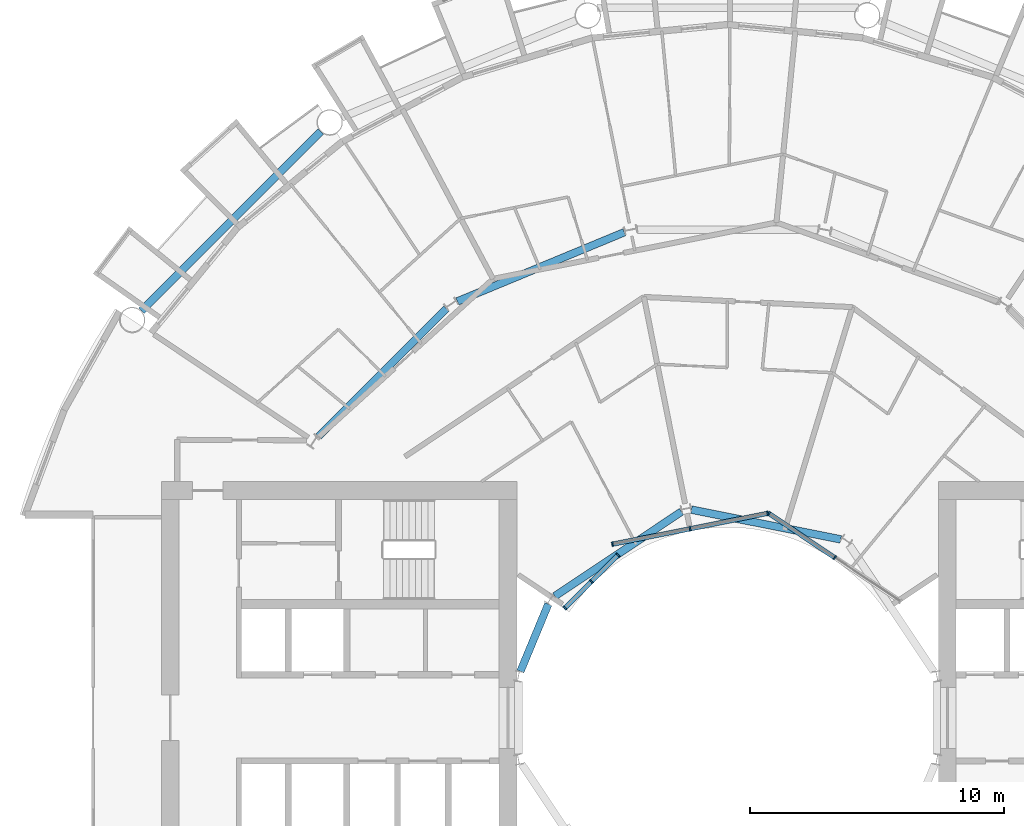
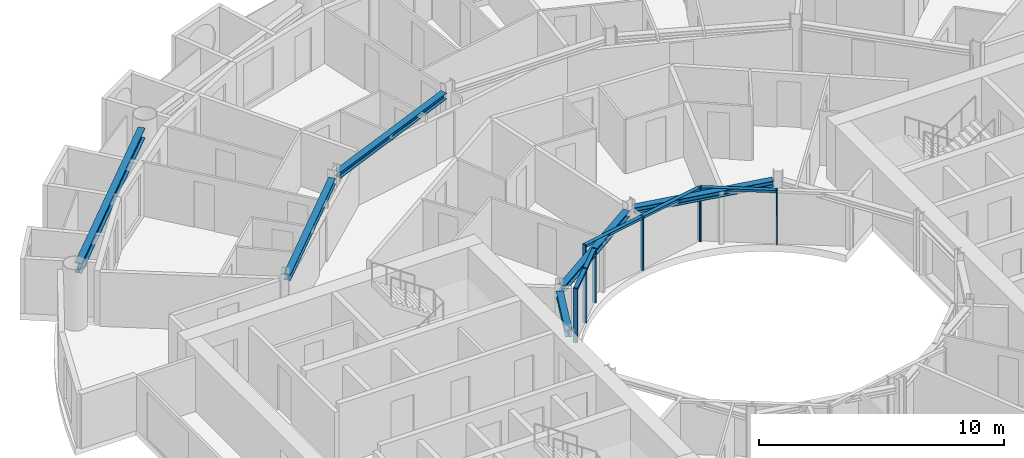
# One storey, part 7 of 26: 13 members, 6 beams, 3 elements without a shape of their own.
"""IFC4 building model written with IfcOpenShell, lengths in metres."""

from ifc_helpers import new_model, si_unit, direction, frame, origin, origin_2d, place, context, subcontext, project, spatial, rectangle, i_section, extrude, material, layer, layer_set, material_profile, profile_set, type_object, element, aggregate, save


model = new_model("IFC4")

# Units and contexts
model_context = context("Model", 3, precision=1e-05, world=origin(), true_north=direction((0.0, 1.0)))
body_context = subcontext(model_context, "Body", "Model", "MODEL_VIEW")
ifc_project = project(units=[si_unit("LENGTHUNIT", "METRE"), si_unit("AREAUNIT", "SQUARE_METRE"), si_unit("VOLUMEUNIT", "CUBIC_METRE"), si_unit("PLANEANGLEUNIT", "RADIAN"), si_unit("MASSUNIT", "GRAM", prefix="KILO")], contexts=[model_context])

# Site, building, storey
site_placement = place(None, origin())
site = spatial("IfcSite", under=ifc_project, at=site_placement, CompositionType="ELEMENT")
building_placement = place(site_placement, origin())
building = spatial("IfcBuilding", under=site, at=building_placement, Name="Maasbend Ring Residences", CompositionType="ELEMENT")
storey_placement = place(building_placement, frame((0.0, 0.0, 63.60009765625)))
storey = spatial("IfcBuildingStorey", under=building, at=storey_placement, Name="L17", CompositionType="ELEMENT", Elevation=63.60009765625)

# Curtain wall, members
ifc_material_1 = material(Name="Aluminium and clear glass", Category="aluminium")
ifc_layer = layer(ifc_material_1, 0.179931640625)
ifc_layer_set = layer_set([ifc_layer], Name="CW-W")
curtain_wall_type = type_object("IfcCurtainWallType", Name="CW-W", PredefinedType="NOTDEFINED", material=ifc_layer_set)
curtain_wall_1_placement = place(storey_placement, origin())
curtain_wall_1 = element("IfcCurtainWall", 1, at=curtain_wall_1_placement, inside=storey, type_object=curtain_wall_type, Name="Well curtain wall N1", PredefinedType="NOTDEFINED")
ifc_material_2 = material(Name="Aluminium 6063-T6", Category="aluminium")
ifc_material_profile_1 = material_profile(ifc_material_2, rectangle(XDim=0.179931640625, YDim=0.06005859375, at=origin_2d()), Name="AL 180x60")
ifc_profile_set_1 = profile_set([ifc_material_profile_1], Name="Aluminium 6063-T6")
member_type_1 = type_object("IfcMemberType", Name="CWM-W", PredefinedType="MULLION", material=ifc_profile_set_1)
member_1_placement = place(storey_placement, frame((4.216796875, 6.310791015625, 0.0), z_axis=(0.0, 0.0, 1.0), x_axis=(-0.55557023302, -0.831469612303, 0.0)))
member_1 = element("IfcMember", 2, at=member_1_placement, type_object=member_type_1, Name="Mullion well face", PredefinedType="MULLION", context=body_context, shape_type="SweptSolid", body=[
    extrude(rectangle(XDim=0.179931640625, YDim=0.06005859375, at=origin_2d()), origin(), (0.0, 0.0, 1.0), 2.699951171875),
])
member_2_placement = place(storey_placement, frame((1.627685546875, 8.040771484375, 0.0), z_axis=(0.0, 0.0, 1.0), x_axis=(-0.55557023302, -0.831469612303, 0.0)))
member_2 = element("IfcMember", 3, at=member_2_placement, type_object=member_type_1, Name="Mullion well face", PredefinedType="MULLION", context=body_context, shape_type="SweptSolid", body=[
    extrude(rectangle(XDim=0.179931640625, YDim=0.06005859375, at=origin_2d()), origin(), (0.0, 0.0, 1.0), 2.699951171875),
])

curtain_wall_2_placement = place(storey_placement, origin())
curtain_wall_2 = element("IfcCurtainWall", 4, at=curtain_wall_2_placement, inside=storey, type_object=curtain_wall_type, Name="Well curtain wall N2", PredefinedType="NOTDEFINED")
member_3_placement = place(storey_placement, frame((1.5732421875, 8.0517578125, 0.0), z_axis=(0.0, 0.0, 1.0), x_axis=(0.195090322016, -0.980785280403, 0.0)))
member_3 = element("IfcMember", 5, at=member_3_placement, type_object=member_type_1, Name="Mullion well face", PredefinedType="MULLION", context=body_context, shape_type="SweptSolid", body=[
    extrude(rectangle(XDim=0.179931640625, YDim=0.06005859375, at=origin_2d()), origin(), (0.0, 0.0, 1.0), 2.699951171875),
])
member_4_placement = place(storey_placement, frame((-1.480712890625, 7.444091796875, 0.0), z_axis=(0.0, 0.0, 1.0), x_axis=(0.195090322016, -0.980785280403, 0.0)))
member_4 = element("IfcMember", 6, at=member_4_placement, type_object=member_type_1, Name="Mullion well face", PredefinedType="MULLION", context=body_context, shape_type="SweptSolid", body=[
    extrude(rectangle(XDim=0.179931640625, YDim=0.06005859375, at=origin_2d()), origin(), (0.0, 0.0, 1.0), 2.699951171875),
])
member_5_placement = place(storey_placement, frame((-4.53466796875, 6.836669921875, 0.0), z_axis=(0.0, 0.0, 1.0), x_axis=(0.195090322016, -0.980785280403, 0.0)))
member_5 = element("IfcMember", 7, at=member_5_placement, type_object=member_type_1, Name="Mullion well face", PredefinedType="MULLION", context=body_context, shape_type="SweptSolid", body=[
    extrude(rectangle(XDim=0.179931640625, YDim=0.06005859375, at=origin_2d()), origin(), (0.0, 0.0, 1.0), 2.699951171875),
])

curtain_wall_3_placement = place(storey_placement, origin())
curtain_wall_3 = element("IfcCurtainWall", 8, at=curtain_wall_3_placement, inside=storey, type_object=curtain_wall_type, Name="Well curtain wall N3", PredefinedType="NOTDEFINED")
member_6_placement = place(storey_placement, frame((-4.320556640625, 6.413330078125, 0.0), z_axis=(0.0, 0.0, 1.0), x_axis=(0.707106781187, -0.707106781187, 0.0)))
member_6 = element("IfcMember", 9, at=member_6_placement, type_object=member_type_1, Name="Mullion well face", PredefinedType="MULLION", context=body_context, shape_type="SweptSolid", body=[
    extrude(rectangle(XDim=0.179931640625, YDim=0.06005859375, at=origin_2d()), origin(), (0.0, 0.0, 1.0), 2.699951171875),
])
member_7_placement = place(storey_placement, frame((-5.366943359375, 5.366943359375, 0.0), z_axis=(0.0, 0.0, 1.0), x_axis=(0.707106781187, -0.707106781187, 0.0)))
member_7 = element("IfcMember", 10, at=member_7_placement, type_object=member_type_1, Name="Mullion well face", PredefinedType="MULLION", context=body_context, shape_type="SweptSolid", body=[
    extrude(rectangle(XDim=0.179931640625, YDim=0.06005859375, at=origin_2d()), origin(), (0.0, 0.0, 1.0), 2.699951171875),
])
member_8_placement = place(storey_placement, frame((-6.413330078125, 4.320556640625, 0.0), z_axis=(0.0, 0.0, 1.0), x_axis=(0.707106781187, -0.707106781187, 0.0)))
member_8 = element("IfcMember", 11, at=member_8_placement, type_object=member_type_1, Name="Mullion well face", PredefinedType="MULLION", context=body_context, shape_type="SweptSolid", body=[
    extrude(rectangle(XDim=0.179931640625, YDim=0.06005859375, at=origin_2d()), origin(), (0.0, 0.0, 1.0), 2.699951171875),
])

# Member
ifc_material_3 = material(Name="Aluminium 6063-T6", Category="aluminium")
ifc_material_profile_2 = material_profile(ifc_material_3, rectangle(XDim=0.179931640625, YDim=0.1201171875, at=origin_2d()), Name="AL 180x120")
ifc_profile_set_2 = profile_set([ifc_material_profile_2], Name="Aluminium 6063-T6")
member_type_2 = type_object("IfcMemberType", Name="CWT-W", PredefinedType="USERDEFINED", material=ifc_profile_set_2)
member_9_placement = place(storey_placement, frame((4.19189453125, 6.32763671875, 2.639892578125), z_axis=(-0.831496422459, 0.555530106689, 0.0), x_axis=(-0.555530106689, -0.831496422459, 0.0)))
member_9 = element("IfcMember", 12, at=member_9_placement, type_object=member_type_2, Name="Transom well face", ObjectType="TRANSOM", PredefinedType="USERDEFINED", context=body_context, shape_type="SweptSolid", body=[
    extrude(rectangle(XDim=0.179931640625, YDim=0.1201171875, at=origin_2d()), origin(), (0.0, 0.0, 1.0), 3.053955078125),
])

aggregate(curtain_wall_1, [member_1, member_2, member_9])

member_10_placement = place(storey_placement, frame((1.5439453125, 8.0458984375, 2.639892578125), z_axis=(-0.980776956105, -0.195132166424, 0.0), x_axis=(0.195132166424, -0.980776956105, 0.0)))
member_10 = element("IfcMember", 13, at=member_10_placement, type_object=member_type_2, Name="Transom well face", ObjectType="TRANSOM", PredefinedType="USERDEFINED", context=body_context, shape_type="SweptSolid", body=[
    extrude(rectangle(XDim=0.179931640625, YDim=0.1201171875, at=origin_2d()), origin(), (0.0, 0.0, 1.0), 3.053955078125),
])

member_11_placement = place(storey_placement, frame((-1.51025390625, 7.438232421875, 2.639892578125), z_axis=(-0.980789210404, -0.19507056353, 0.0), x_axis=(0.19507056353, -0.980789210404, 0.0)))
member_11 = element("IfcMember", 14, at=member_11_placement, type_object=member_type_2, Name="Transom well face", ObjectType="TRANSOM", PredefinedType="USERDEFINED", context=body_context, shape_type="SweptSolid", body=[
    extrude(rectangle(XDim=0.179931640625, YDim=0.1201171875, at=origin_2d()), origin(), (0.0, 0.0, 1.0), 3.0537109375),
])

aggregate(curtain_wall_2, [member_3, member_4, member_5, member_10, member_11])

member_12_placement = place(storey_placement, frame((-4.341796875, 6.39208984375, 2.639892578125), z_axis=(-0.707106781187, -0.707106781187, 0.0), x_axis=(0.707106781187, -0.707106781187, 0.0)))
member_12 = element("IfcMember", 15, at=member_12_placement, type_object=member_type_2, Name="Transom well face", ObjectType="TRANSOM", PredefinedType="USERDEFINED", context=body_context, shape_type="SweptSolid", body=[
    extrude(rectangle(XDim=0.179931640625, YDim=0.1201171875, at=origin_2d()), origin(), (0.0, 0.0, 1.0), 1.419677734375),
])

member_13_placement = place(storey_placement, frame((-5.38818359375, 5.345703125, 2.639892578125), z_axis=(-0.707106781187, -0.707106781187, 0.0), x_axis=(0.707106781187, -0.707106781187, 0.0)))
member_13 = element("IfcMember", 16, at=member_13_placement, type_object=member_type_2, Name="Transom well face", ObjectType="TRANSOM", PredefinedType="USERDEFINED", context=body_context, shape_type="SweptSolid", body=[
    extrude(rectangle(XDim=0.179931640625, YDim=0.1201171875, at=origin_2d()), origin(), (0.0, 0.0, 1.0), 1.419677734375),
])

aggregate(curtain_wall_3, [member_6, member_7, member_8, member_12, member_13])

# Beams
ifc_material_4 = material(Name="Steel S355J2", Category="steel")
ifc_material_profile_3 = material_profile(ifc_material_4, i_section(OverallWidth=0.300048828125, OverallDepth=0.300048828125, WebThickness=0.010986328125, FlangeThickness=0.01904296875, FilletRadius=0.027099609375, at=origin_2d()), Name="HEB 300")
ifc_profile_set_3 = profile_set([ifc_material_profile_3], Name="Steel S355J2")
beam_type_1 = type_object("IfcBeamType", Name="Corridor ring beam HEB 300", PredefinedType="BEAM", material=ifc_profile_set_3)
for number, where, z_axis, x_axis, name in (
    (17, (-4.070556640625, 19.12109375, 2.5498046875), (-0.923877113721, -0.382689271788, 0.0), (0.382689271788, -0.923877113721, 0.0), "Corridor ring beam"),
    (18, (-11.078125, 16.10791015625, 2.5498046875), (-0.707106781187, -0.707106781187, 0.0), (0.707106781187, -0.707106781187, 0.0), "Corridor ring beam"),
):
    element("IfcBeam", number, at=place(storey_placement, frame(where, z_axis=z_axis, x_axis=x_axis)), inside=storey, type_object=beam_type_1, Name=name, PredefinedType="BEAM", context=body_context, shape_type="SweptSolid", body=[
        extrude(i_section(OverallWidth=0.300048828125, OverallDepth=0.300048828125, WebThickness=0.010986328125, FlangeThickness=0.01904296875, FilletRadius=0.027099609375, at=origin_2d()), origin(), (0.0, 0.0, 1.0), 7.11328125),
    ])
ifc_material_5 = material(Name="Steel S355J2", Category="steel")
ifc_material_profile_4 = material_profile(ifc_material_5, i_section(OverallWidth=0.300048828125, OverallDepth=0.5, WebThickness=0.014404296875, FlangeThickness=0.028076171875, FilletRadius=0.027099609375, at=origin_2d()), Name="HEB 500")
ifc_profile_set_4 = profile_set([ifc_material_profile_4], Name="Steel S355J2")
beam_type_2 = type_object("IfcBeamType", Name="Spandrel ring beam HEB 500", PredefinedType="SPANDREL", material=ifc_profile_set_4)
beam_1_placement = place(storey_placement, frame((-16.0263671875, 23.088134765625, 2.449951171875), z_axis=(-0.707106781187, -0.707106781187, 0.0), x_axis=(0.707106781187, -0.707106781187, 0.0)))
element("IfcBeam", 19, at=beam_1_placement, inside=storey, type_object=beam_type_2, Name="Spandrel ring beam", PredefinedType="SPANDREL", context=body_context, shape_type="SweptSolid", body=[
    extrude(i_section(OverallWidth=0.300048828125, OverallDepth=0.5, WebThickness=0.014404296875, FlangeThickness=0.028076171875, FilletRadius=0.027099609375, at=origin_2d()), origin(), (0.0, 0.0, 1.0), 9.98681640625),
])
ifc_material_6 = material(Name="Steel S355J2", Category="steel")
ifc_material_profile_5 = material_profile(ifc_material_6, i_section(OverallWidth=0.300048828125, OverallDepth=0.300048828125, WebThickness=0.010986328125, FlangeThickness=0.01904296875, FilletRadius=0.027099609375, at=origin_2d()), Name="HEB 300")
ifc_profile_set_5 = profile_set([ifc_material_profile_5], Name="Steel S355J2")
beam_type_3 = type_object("IfcBeamType", Name="Well edge beam HEB 300", PredefinedType="BEAM", material=ifc_profile_set_5)
beam_2_placement = place(storey_placement, frame((4.45458984375, 7.026611328125, 2.5498046875), z_axis=(-0.980789954577, 0.195066821885, 0.0), x_axis=(-0.195066821885, -0.980789954577, 0.0)))
element("IfcBeam", 20, at=beam_2_placement, inside=storey, type_object=beam_type_3, Name="Well edge beam", PredefinedType="BEAM", context=body_context, shape_type="SweptSolid", body=[
    extrude(i_section(OverallWidth=0.300048828125, OverallDepth=0.300048828125, WebThickness=0.010986328125, FlangeThickness=0.01904296875, FilletRadius=0.027099609375, at=origin_2d()), origin(), (0.0, 0.0, 1.0), 5.996337890625),
])
beam_3_placement = place(storey_placement, frame((-1.81884765625, 8.118408203125, 2.5498046875), z_axis=(-0.83145471117, -0.555592533493, 0.0), x_axis=(0.555592533493, -0.83145471117, 0.0)))
element("IfcBeam", 21, at=beam_3_placement, inside=storey, type_object=beam_type_3, Name="Well edge beam", PredefinedType="BEAM", context=body_context, shape_type="SweptSolid", body=[
    extrude(i_section(OverallWidth=0.300048828125, OverallDepth=0.300048828125, WebThickness=0.010986328125, FlangeThickness=0.01904296875, FilletRadius=0.027099609375, at=origin_2d()), origin(), (0.0, 0.0, 1.0), 5.995849609375),
])
beam_4_placement = place(storey_placement, frame((-7.062255859375, 4.478515625, 2.5498046875), z_axis=(-0.382729955172, -0.923860260761, 0.0), x_axis=(0.923860260761, -0.382729955172, 0.0)))
element("IfcBeam", 22, at=beam_4_placement, inside=storey, type_object=beam_type_3, Name="Well edge beam", PredefinedType="BEAM", context=body_context, shape_type="SweptSolid", body=[
    extrude(i_section(OverallWidth=0.300048828125, OverallDepth=0.300048828125, WebThickness=0.010986328125, FlangeThickness=0.01904296875, FilletRadius=0.027099609375, at=origin_2d()), origin(), (0.0, 0.0, 1.0), 2.869873046875),
])

save(model, "model.ifc")
